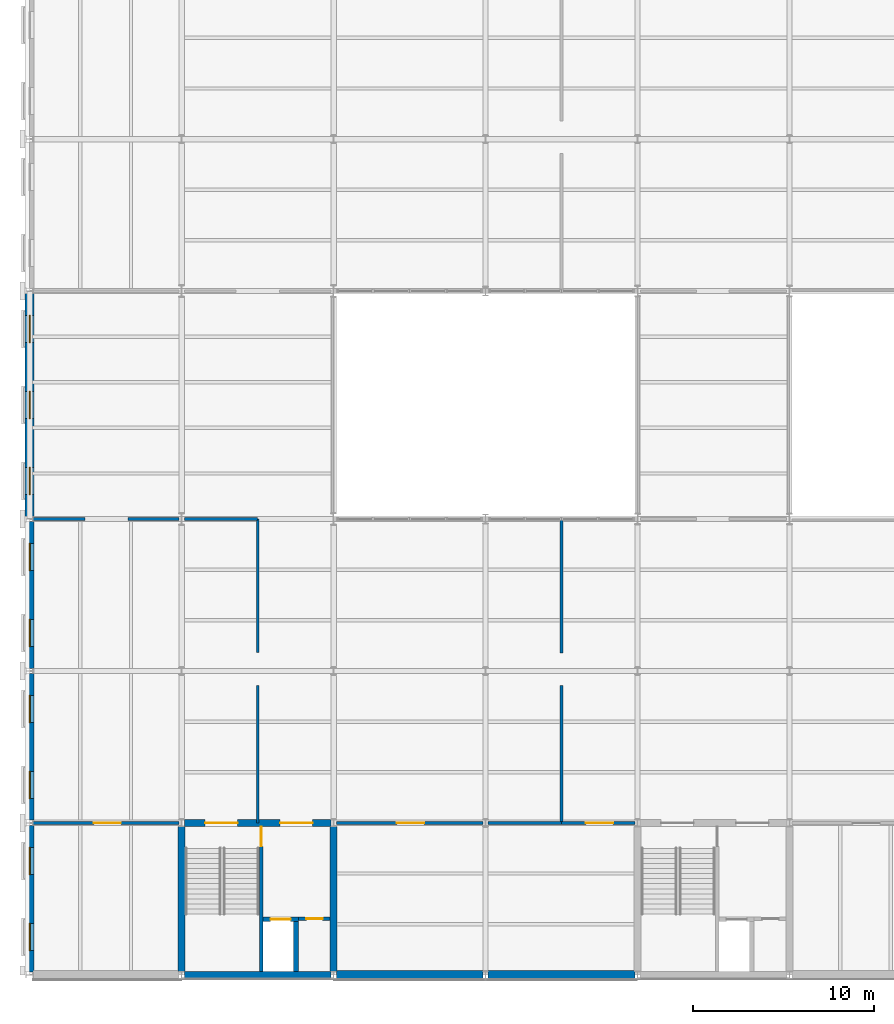
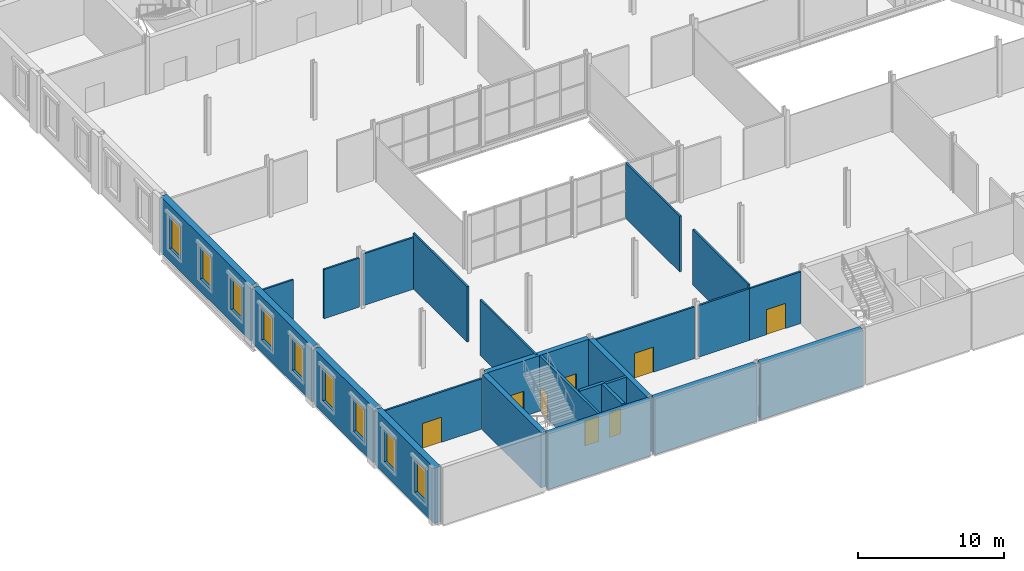
# One storey, part 28 of 52: 25 walls, 9 windows, 8 doors, 17 openings.
"""IFC4 building model written with IfcOpenShell, lengths in metres."""

from ifc_helpers import new_model, si_unit, direction, frame, frame_2d, origin, place, context, subcontext, project, spatial, rectangle, extrude, material, layer, layer_set, type_object, element, fill, save


model = new_model("IFC4")

# Units and contexts
model_context = context("Model", 3, precision=1e-05, world=origin(), true_north=direction((0.0, 1.0)))
body_context = subcontext(model_context, "Body", "Model", "MODEL_VIEW")
ifc_project = project(units=[si_unit("LENGTHUNIT", "METRE"), si_unit("AREAUNIT", "SQUARE_METRE"), si_unit("VOLUMEUNIT", "CUBIC_METRE"), si_unit("PLANEANGLEUNIT", "RADIAN"), si_unit("MASSUNIT", "GRAM", prefix="KILO")], contexts=[model_context])

# Site, building, storey
site_placement = place(None, origin())
site = spatial("IfcSite", under=ifc_project, at=site_placement, CompositionType="ELEMENT")
building_placement = place(site_placement, origin())
building = spatial("IfcBuilding", under=site, at=building_placement, Name="Galleria Vessillo Department Store", CompositionType="ELEMENT")
storey_placement = place(building_placement, frame((0.0, 0.0, 16.199951171875)))
storey = spatial("IfcBuildingStorey", under=building, at=storey_placement, Name="L03", CompositionType="ELEMENT", Elevation=16.199951171875)

# Wall, opening, door
ifc_material_1 = material(Name="Solid clay block masonry", Category="masonry")
ifc_layer_1 = layer(ifc_material_1, 0.25)
ifc_layer_set_1 = layer_set([ifc_layer_1], Name="Solid clay block masonry")
wall_type_1 = type_object("IfcWallType", Name="Lift shaft wall 250 mm", PredefinedType="SOLIDWALL", material=ifc_layer_set_1)
wall_1_placement = place(storey_placement, frame((12.89990234375, 3.074951171875, 0.0), z_axis=(0.0, 0.0, 1.0), x_axis=(1.0, 0.0, 0.0)))
wall_1 = element("IfcWall", 1, at=wall_1_placement, inside=storey, type_object=wall_type_1, Name="Lift shaft wall LP1 landing side L03", PredefinedType="SOLIDWALL", context=body_context, shape_type="SweptSolid", body=[
    extrude(rectangle(XDim=1.9501953125, YDim=0.25, at=frame_2d((0.97509765625, 0.0))), origin(), (0.0, 0.0, 1.0), 4.800048828125),
])
opening_1_placement = place(wall_1_placement, frame((0.425048828125, 0.0, 0.0)))
opening_1 = element("IfcOpeningElement", 2, at=opening_1_placement, cuts=wall_1, Name="Opening LD006", PredefinedType="OPENING", context=body_context, shape_type="SweptSolid", body=[
    extrude(rectangle(XDim=1.10009765625, YDim=2.10009765625, at=frame_2d((0.550048828125, 1.050048828125))), frame((0.0, 0.135009765625, 0.0), z_axis=(0.0, -1.0, 0.0), x_axis=(1.0, 0.0, 0.0)), (0.0, 0.0, 1.0), 0.27001953125),
])
ifc_material_2 = material(Name="Stainless steel lift door panel", Category="steel")
door_type_1 = type_object("IfcDoorType", Name="Lift landing door LD110 sliding 1100 x 2100", OperationType="SLIDING_TO_LEFT", PredefinedType="DOOR", material=ifc_material_2)
door_1_placement = place(opening_1_placement, origin())
door_1 = element("IfcDoor", 3, at=door_1_placement, inside=storey, type_object=door_type_1, Name="Lift landing door LP1 L03", OperationType="SLIDING_TO_LEFT", OverallHeight=2.10009765625, OverallWidth=1.10009765625, PredefinedType="DOOR", context=body_context, shape_type="SweptSolid", body=[
    extrude(rectangle(XDim=1.10009765625, YDim=2.10009765625, at=frame_2d((0.550048828125, 1.050048828125))), frame((0.0, 0.02490234375, 0.0), z_axis=(0.0, -1.0, 0.0), x_axis=(1.0, 0.0, 0.0)), (0.0, 0.0, 1.0), 0.050048828125),
])
fill(opening_1, door_1)

# Wall
wall_2_placement = place(storey_placement, frame((14.72509765625, 0.199951171875, 0.0), z_axis=(0.0, 0.0, 1.0), x_axis=(0.0, 1.0, 0.0)))
element("IfcWall", 4, at=wall_2_placement, inside=storey, type_object=wall_type_1, Name="Lift shaft wall LP1 L03", PredefinedType="SOLIDWALL", context=body_context, shape_type="SweptSolid", body=[
    extrude(rectangle(XDim=2.75, YDim=0.25, at=frame_2d((1.375, 0.0))), origin(), (0.0, 0.0, 1.0), 4.800048828125),
])

# Wall, openings, windows
ifc_material_3 = material(Name="Reinforced masonry, limestone units 80 MPa", Category="masonry")
ifc_layer_2 = layer(ifc_material_3, 0.5)
ifc_layer_set_2 = layer_set([ifc_layer_2], Name="Reinforced masonry, limestone units 80 MPa")
wall_type_2 = type_object("IfcWallType", Name="Load-bearing limestone-faced wall 500 mm", PredefinedType="STANDARD", material=ifc_layer_set_2)
wall_3_placement = place(storey_placement, frame((0.0, 0.14990234375, 0.0), z_axis=(0.0, 0.0, 1.0), x_axis=(0.0, 1.0, 0.0)))
wall_3 = element("IfcWall", 5, at=wall_3_placement, inside=storey, type_object=wall_type_2, Name="Load-bearing limestone-faced wall 500 mm SW-L03-01", PredefinedType="STANDARD", context=body_context, shape_type="SweptSolid", body=[
    extrude(rectangle(XDim=8.10009765625, YDim=0.5, at=frame_2d((4.050048828125, 0.0))), origin(), (0.0, 0.0, 1.0), 4.650146484375),
])
opening_2_placement = place(wall_3_placement, frame((1.2001953125, 0.0, 1.0)))
opening_2 = element("IfcOpeningElement", 6, at=opening_2_placement, cuts=wall_3, Name="Opening W013", PredefinedType="OPENING", context=body_context, shape_type="SweptSolid", body=[
    extrude(rectangle(XDim=1.5, YDim=2.699951171875, at=frame_2d((0.75, 1.35009765625))), frame((0.0, 0.260009765625, 0.0), z_axis=(0.0, -1.0, 0.0), x_axis=(1.0, 0.0, 0.0)), (0.0, 0.0, 1.0), 0.52001953125),
])
opening_3_placement = place(wall_3_placement, frame((5.400146484375, 0.0, 1.0)))
opening_3 = element("IfcOpeningElement", 7, at=opening_3_placement, cuts=wall_3, Name="Opening W014", PredefinedType="OPENING", context=body_context, shape_type="SweptSolid", body=[
    extrude(rectangle(XDim=1.5, YDim=2.699951171875, at=frame_2d((0.75, 1.35009765625))), frame((0.0, 0.260009765625, 0.0), z_axis=(0.0, -1.0, 0.0), x_axis=(1.0, 0.0, 0.0)), (0.0, 0.0, 1.0), 0.52001953125),
])
ifc_material_4 = material(Name="Aluminium frame with laminated glass 44.2", Category="aluminium")
window_type = type_object("IfcWindowType", Name="Second order window 1500 x 2700", PartitioningType="SINGLE_PANEL", PredefinedType="WINDOW", material=ifc_material_4)
window_1_placement = place(opening_2_placement, origin())
window_1 = element("IfcWindow", 8, at=window_1_placement, inside=storey, type_object=window_type, Name="E-WIN-SW-L03-01-013", OverallHeight=2.699951171875, OverallWidth=1.5, PartitioningType="SINGLE_PANEL", PredefinedType="WINDOW", context=body_context, shape_type="SweptSolid", body=[
    extrude(rectangle(XDim=1.5, YDim=2.699951171875, at=frame_2d((0.75, 1.35009765625))), frame((0.0, 0.030029296875, 0.0), z_axis=(0.0, -1.0, 0.0), x_axis=(1.0, 0.0, 0.0)), (0.0, 0.0, 1.0), 0.06005859375),
])
fill(opening_2, window_1)
window_2_placement = place(opening_3_placement, origin())
window_2 = element("IfcWindow", 9, at=window_2_placement, inside=storey, type_object=window_type, Name="E-WIN-SW-L03-01-014", OverallHeight=2.699951171875, OverallWidth=1.5, PartitioningType="SINGLE_PANEL", PredefinedType="WINDOW", context=body_context, shape_type="SweptSolid", body=[
    extrude(rectangle(XDim=1.5, YDim=2.699951171875, at=frame_2d((0.75, 1.35009765625))), frame((0.0, 0.030029296875, 0.0), z_axis=(0.0, -1.0, 0.0), x_axis=(1.0, 0.0, 0.0)), (0.0, 0.0, 1.0), 0.06005859375),
])
fill(opening_3, window_2)

wall_4_placement = place(storey_placement, frame((0.0, 8.5498046875, 0.0), z_axis=(0.0, 0.0, 1.0), x_axis=(0.0, 1.0, 0.0)))
wall_4 = element("IfcWall", 10, at=wall_4_placement, inside=storey, type_object=wall_type_2, Name="Load-bearing limestone-faced wall 500 mm SW-L03-02", PredefinedType="STANDARD", context=body_context, shape_type="SweptSolid", body=[
    extrude(rectangle(XDim=8.100341796875, YDim=0.5, at=frame_2d((4.05029296875, 0.0))), origin(), (0.0, 0.0, 1.0), 4.650146484375),
])
opening_4_placement = place(wall_4_placement, frame((1.2001953125, 0.0, 1.0)))
opening_4 = element("IfcOpeningElement", 11, at=opening_4_placement, cuts=wall_4, Name="Opening W015", PredefinedType="OPENING", context=body_context, shape_type="SweptSolid", body=[
    extrude(rectangle(XDim=1.5, YDim=2.699951171875, at=frame_2d((0.75, 1.35009765625))), frame((0.0, 0.260009765625, 0.0), z_axis=(0.0, -1.0, 0.0), x_axis=(1.0, 0.0, 0.0)), (0.0, 0.0, 1.0), 0.52001953125),
])
opening_5_placement = place(wall_4_placement, frame((5.400146484375, 0.0, 1.0)))
opening_5 = element("IfcOpeningElement", 12, at=opening_5_placement, cuts=wall_4, Name="Opening W016", PredefinedType="OPENING", context=body_context, shape_type="SweptSolid", body=[
    extrude(rectangle(XDim=1.5, YDim=2.699951171875, at=frame_2d((0.75, 1.35009765625))), frame((0.0, 0.260009765625, 0.0), z_axis=(0.0, -1.0, 0.0), x_axis=(1.0, 0.0, 0.0)), (0.0, 0.0, 1.0), 0.52001953125),
])
window_3_placement = place(opening_4_placement, origin())
window_3 = element("IfcWindow", 13, at=window_3_placement, inside=storey, type_object=window_type, Name="E-WIN-SW-L03-02-015", OverallHeight=2.699951171875, OverallWidth=1.5, PartitioningType="SINGLE_PANEL", PredefinedType="WINDOW", context=body_context, shape_type="SweptSolid", body=[
    extrude(rectangle(XDim=1.5, YDim=2.699951171875, at=frame_2d((0.75, 1.35009765625))), frame((0.0, 0.030029296875, 0.0), z_axis=(0.0, -1.0, 0.0), x_axis=(1.0, 0.0, 0.0)), (0.0, 0.0, 1.0), 0.06005859375),
])
fill(opening_4, window_3)
window_4_placement = place(opening_5_placement, origin())
window_4 = element("IfcWindow", 14, at=window_4_placement, inside=storey, type_object=window_type, Name="E-WIN-SW-L03-02-016", OverallHeight=2.699951171875, OverallWidth=1.5, PartitioningType="SINGLE_PANEL", PredefinedType="WINDOW", context=body_context, shape_type="SweptSolid", body=[
    extrude(rectangle(XDim=1.5, YDim=2.699951171875, at=frame_2d((0.75, 1.35009765625))), frame((0.0, 0.030029296875, 0.0), z_axis=(0.0, -1.0, 0.0), x_axis=(1.0, 0.0, 0.0)), (0.0, 0.0, 1.0), 0.06005859375),
])
fill(opening_5, window_4)

wall_5_placement = place(storey_placement, frame((0.0, 16.949951171875, 0.0), z_axis=(0.0, 0.0, 1.0), x_axis=(0.0, 1.0, 0.0)))
wall_5 = element("IfcWall", 15, at=wall_5_placement, inside=storey, type_object=wall_type_2, Name="Load-bearing limestone-faced wall 500 mm SW-L03-03", PredefinedType="STANDARD", context=body_context, shape_type="SweptSolid", body=[
    extrude(rectangle(XDim=8.10009765625, YDim=0.5, at=frame_2d((4.050048828125, 0.0))), origin(), (0.0, 0.0, 1.0), 4.650146484375),
])
opening_6_placement = place(wall_5_placement, frame((1.199951171875, 0.0, 1.0)))
opening_6 = element("IfcOpeningElement", 16, at=opening_6_placement, cuts=wall_5, Name="Opening W017", PredefinedType="OPENING", context=body_context, shape_type="SweptSolid", body=[
    extrude(rectangle(XDim=1.5, YDim=2.699951171875, at=frame_2d((0.75, 1.35009765625))), frame((0.0, 0.260009765625, 0.0), z_axis=(0.0, -1.0, 0.0), x_axis=(1.0, 0.0, 0.0)), (0.0, 0.0, 1.0), 0.52001953125),
])
opening_7_placement = place(wall_5_placement, frame((5.400146484375, 0.0, 1.0)))
opening_7 = element("IfcOpeningElement", 17, at=opening_7_placement, cuts=wall_5, Name="Opening W018", PredefinedType="OPENING", context=body_context, shape_type="SweptSolid", body=[
    extrude(rectangle(XDim=1.5, YDim=2.699951171875, at=frame_2d((0.75, 1.35009765625))), frame((0.0, 0.260009765625, 0.0), z_axis=(0.0, -1.0, 0.0), x_axis=(1.0, 0.0, 0.0)), (0.0, 0.0, 1.0), 0.52001953125),
])
window_5_placement = place(opening_6_placement, origin())
window_5 = element("IfcWindow", 18, at=window_5_placement, inside=storey, type_object=window_type, Name="E-WIN-SW-L03-03-017", OverallHeight=2.699951171875, OverallWidth=1.5, PartitioningType="SINGLE_PANEL", PredefinedType="WINDOW", context=body_context, shape_type="SweptSolid", body=[
    extrude(rectangle(XDim=1.5, YDim=2.699951171875, at=frame_2d((0.75, 1.35009765625))), frame((0.0, 0.030029296875, 0.0), z_axis=(0.0, -1.0, 0.0), x_axis=(1.0, 0.0, 0.0)), (0.0, 0.0, 1.0), 0.06005859375),
])
fill(opening_6, window_5)
window_6_placement = place(opening_7_placement, origin())
window_6 = element("IfcWindow", 19, at=window_6_placement, inside=storey, type_object=window_type, Name="E-WIN-SW-L03-03-018", OverallHeight=2.699951171875, OverallWidth=1.5, PartitioningType="SINGLE_PANEL", PredefinedType="WINDOW", context=body_context, shape_type="SweptSolid", body=[
    extrude(rectangle(XDim=1.5, YDim=2.699951171875, at=frame_2d((0.75, 1.35009765625))), frame((0.0, 0.030029296875, 0.0), z_axis=(0.0, -1.0, 0.0), x_axis=(1.0, 0.0, 0.0)), (0.0, 0.0, 1.0), 0.06005859375),
])
fill(opening_7, window_6)

wall_6_placement = place(storey_placement, frame((0.0, 25.349853515625, 0.0), z_axis=(0.0, 0.0, 1.0), x_axis=(0.0, 1.0, 0.0)))
wall_6 = element("IfcWall", 20, at=wall_6_placement, inside=storey, type_object=wall_type_2, Name="Load-bearing limestone-faced wall 500 mm SW-L03-04", PredefinedType="STANDARD", context=body_context, shape_type="SweptSolid", body=[
    extrude(rectangle(XDim=12.30029296875, YDim=0.5, at=frame_2d((6.150146484375, 0.0))), origin(), (0.0, 0.0, 1.0), 4.650146484375),
])
opening_8_placement = place(wall_6_placement, frame((1.2001953125, 0.0, 1.0)))
opening_8 = element("IfcOpeningElement", 21, at=opening_8_placement, cuts=wall_6, Name="Opening W019", PredefinedType="OPENING", context=body_context, shape_type="SweptSolid", body=[
    extrude(rectangle(XDim=1.5, YDim=2.699951171875, at=frame_2d((0.75, 1.35009765625))), frame((0.0, 0.260009765625, 0.0), z_axis=(0.0, -1.0, 0.0), x_axis=(1.0, 0.0, 0.0)), (0.0, 0.0, 1.0), 0.52001953125),
])
opening_9_placement = place(wall_6_placement, frame((5.400146484375, 0.0, 1.0)))
opening_9 = element("IfcOpeningElement", 22, at=opening_9_placement, cuts=wall_6, Name="Opening W020", PredefinedType="OPENING", context=body_context, shape_type="SweptSolid", body=[
    extrude(rectangle(XDim=1.5, YDim=2.699951171875, at=frame_2d((0.75, 1.35009765625))), frame((0.0, 0.260009765625, 0.0), z_axis=(0.0, -1.0, 0.0), x_axis=(1.0, 0.0, 0.0)), (0.0, 0.0, 1.0), 0.52001953125),
])
opening_10_placement = place(wall_6_placement, frame((9.60009765625, 0.0, 1.0)))
opening_10 = element("IfcOpeningElement", 23, at=opening_10_placement, cuts=wall_6, Name="Opening W021", PredefinedType="OPENING", context=body_context, shape_type="SweptSolid", body=[
    extrude(rectangle(XDim=1.5, YDim=2.699951171875, at=frame_2d((0.75, 1.35009765625))), frame((0.0, 0.260009765625, 0.0), z_axis=(0.0, -1.0, 0.0), x_axis=(1.0, 0.0, 0.0)), (0.0, 0.0, 1.0), 0.52001953125),
])
window_7_placement = place(opening_8_placement, origin())
window_7 = element("IfcWindow", 24, at=window_7_placement, inside=storey, type_object=window_type, Name="E-WIN-SW-L03-04-019", OverallHeight=2.699951171875, OverallWidth=1.5, PartitioningType="SINGLE_PANEL", PredefinedType="WINDOW", context=body_context, shape_type="SweptSolid", body=[
    extrude(rectangle(XDim=1.5, YDim=2.699951171875, at=frame_2d((0.75, 1.35009765625))), frame((0.0, 0.030029296875, 0.0), z_axis=(0.0, -1.0, 0.0), x_axis=(1.0, 0.0, 0.0)), (0.0, 0.0, 1.0), 0.06005859375),
])
fill(opening_8, window_7)
window_8_placement = place(opening_9_placement, origin())
window_8 = element("IfcWindow", 25, at=window_8_placement, inside=storey, type_object=window_type, Name="E-WIN-SW-L03-04-020", OverallHeight=2.699951171875, OverallWidth=1.5, PartitioningType="SINGLE_PANEL", PredefinedType="WINDOW", context=body_context, shape_type="SweptSolid", body=[
    extrude(rectangle(XDim=1.5, YDim=2.699951171875, at=frame_2d((0.75, 1.35009765625))), frame((0.0, 0.030029296875, 0.0), z_axis=(0.0, -1.0, 0.0), x_axis=(1.0, 0.0, 0.0)), (0.0, 0.0, 1.0), 0.06005859375),
])
fill(opening_9, window_8)
window_9_placement = place(opening_10_placement, origin())
window_9 = element("IfcWindow", 26, at=window_9_placement, inside=storey, type_object=window_type, Name="E-WIN-SW-L03-04-021", OverallHeight=2.699951171875, OverallWidth=1.5, PartitioningType="SINGLE_PANEL", PredefinedType="WINDOW", context=body_context, shape_type="SweptSolid", body=[
    extrude(rectangle(XDim=1.5, YDim=2.699951171875, at=frame_2d((0.75, 1.35009765625))), frame((0.0, 0.030029296875, 0.0), z_axis=(0.0, -1.0, 0.0), x_axis=(1.0, 0.0, 0.0)), (0.0, 0.0, 1.0), 0.06005859375),
])
fill(opening_10, window_9)

# Wall, openings, doors
ifc_material_5 = material(Name="Concrete C32/40 reinforced", Category="concrete")
ifc_layer_3 = layer(ifc_material_5, 0.39990234375)
ifc_layer_set_3 = layer_set([ifc_layer_3], Name="Concrete C32/40 reinforced")
wall_type_3 = type_object("IfcWallType", Name="Reinforced concrete core wall 400 mm", PredefinedType="SHEAR", material=ifc_layer_set_3)
wall_7_placement = place(storey_placement, frame((8.5498046875, 8.39990234375, 0.0), z_axis=(0.0, 0.0, 1.0), x_axis=(1.0, 0.0, 0.0)))
wall_7 = element("IfcWall", 27, at=wall_7_placement, inside=storey, type_object=wall_type_3, Name="S-CW-PC-SW-INTERIOR-L03", PredefinedType="SHEAR", context=body_context, shape_type="SweptSolid", body=[
    extrude(rectangle(XDim=8.100341796875, YDim=0.39990234375, at=frame_2d((4.05029296875, 0.0))), origin(), (0.0, 0.0, 1.0), 4.650146484375),
])
opening_11_placement = place(wall_7_placement, frame((1.150146484375, 0.0, 0.0)))
opening_11 = element("IfcOpeningElement", 28, at=opening_11_placement, cuts=wall_7, Name="Opening D5023", PredefinedType="OPENING", context=body_context, shape_type="SweptSolid", body=[
    extrude(rectangle(XDim=1.800048828125, YDim=2.10009765625, at=frame_2d((0.89990234375, 1.050048828125))), frame((0.0, 0.2099609375, 0.0), z_axis=(0.0, -1.0, 0.0), x_axis=(1.0, 0.0, 0.0)), (0.0, 0.0, 1.0), 0.419921875),
])
opening_12_placement = place(wall_7_placement, frame((5.300048828125, 0.0, 0.0)))
opening_12 = element("IfcOpeningElement", 29, at=opening_12_placement, cuts=wall_7, Name="Opening D5024", PredefinedType="OPENING", context=body_context, shape_type="SweptSolid", body=[
    extrude(rectangle(XDim=1.800048828125, YDim=2.10009765625, at=frame_2d((0.89990234375, 1.050048828125))), frame((0.0, 0.2099609375, 0.0), z_axis=(0.0, -1.0, 0.0), x_axis=(1.0, 0.0, 0.0)), (0.0, 0.0, 1.0), 0.419921875),
])
ifc_material_6 = material(Name="Fire-rated steel door leaf", Category="steel")
door_type_2 = type_object("IfcDoorType", Name="Door D180F double leaf 1800 x 2100", OperationType="DOUBLE_DOOR_SINGLE_SWING", PredefinedType="DOOR", material=ifc_material_6)
door_2_placement = place(opening_11_placement, frame((1.800048828125, 0.0, 0.0), z_axis=(0.0, 0.0, 1.0), x_axis=(-1.0, 0.0, 0.0)))
door_2 = element("IfcDoor", 30, at=door_2_placement, inside=storey, type_object=door_type_2, Name="Lobby door PC-SW-ST-FLOOR L03", OperationType="DOUBLE_DOOR_SINGLE_SWING", OverallHeight=2.10009765625, OverallWidth=1.800048828125, PredefinedType="DOOR", context=body_context, shape_type="SweptSolid", body=[
    extrude(rectangle(XDim=1.800048828125, YDim=2.10009765625, at=frame_2d((0.89990234375, 1.050048828125))), frame((0.0, 0.02490234375, 0.0), z_axis=(0.0, -1.0, 0.0), x_axis=(1.0, 0.0, 0.0)), (0.0, 0.0, 1.0), 0.050048828125),
])
fill(opening_11, door_2)
door_3_placement = place(opening_12_placement, frame((1.800048828125, 0.0, 0.0), z_axis=(0.0, 0.0, 1.0), x_axis=(-1.0, 0.0, 0.0)))
door_3 = element("IfcDoor", 31, at=door_3_placement, inside=storey, type_object=door_type_2, Name="Lobby door PC-SW-LOBBY-FLOOR L03", OperationType="DOUBLE_DOOR_SINGLE_SWING", OverallHeight=2.10009765625, OverallWidth=1.800048828125, PredefinedType="DOOR", context=body_context, shape_type="SweptSolid", body=[
    extrude(rectangle(XDim=1.800048828125, YDim=2.10009765625, at=frame_2d((0.89990234375, 1.050048828125))), frame((0.0, 0.02490234375, 0.0), z_axis=(0.0, -1.0, 0.0), x_axis=(1.0, 0.0, 0.0)), (0.0, 0.0, 1.0), 0.050048828125),
])
fill(opening_12, door_3)

# Walls
wall_8_placement = place(storey_placement, frame((16.800048828125, 0.199951171875, 0.0), z_axis=(0.0, 0.0, 1.0), x_axis=(0.0, 1.0, 0.0)))
element("IfcWall", 32, at=wall_8_placement, inside=storey, type_object=wall_type_3, Name="S-CW-PC-SW-EAST-L03", PredefinedType="SHEAR", context=body_context, shape_type="SweptSolid", body=[
    extrude(rectangle(XDim=8.0, YDim=0.39990234375, at=frame_2d((4.0, 0.0))), origin(), (0.0, 0.0, 1.0), 4.650146484375),
])
ifc_material_7 = material(Name="Concrete C32/40 reinforced", Category="concrete")
ifc_layer_4 = layer(ifc_material_7, 0.39990234375)
ifc_layer_set_4 = layer_set([ifc_layer_4], Name="Concrete C32/40 reinforced")
wall_type_4 = type_object("IfcWallType", Name="Reinforced concrete core wall 400 mm, external", PredefinedType="SHEAR", material=ifc_layer_set_4)
wall_9_placement = place(storey_placement, frame((8.5498046875, 0.0, 0.0), z_axis=(0.0, 0.0, 1.0), x_axis=(1.0, 0.0, 0.0)))
element("IfcWall", 33, at=wall_9_placement, inside=storey, type_object=wall_type_4, Name="S-CW-PC-SW-PARTY-L03", PredefinedType="SHEAR", context=body_context, shape_type="SweptSolid", body=[
    extrude(rectangle(XDim=8.100341796875, YDim=0.39990234375, at=frame_2d((4.05029296875, 0.0))), origin(), (0.0, 0.0, 1.0), 4.650146484375),
])
wall_10_placement = place(storey_placement, frame((8.39990234375, 0.199951171875, 0.0), z_axis=(0.0, 0.0, 1.0), x_axis=(0.0, 1.0, 0.0)))
element("IfcWall", 34, at=wall_10_placement, inside=storey, type_object=wall_type_4, Name="S-CW-PC-SW-WEST-L03", PredefinedType="SHEAR", context=body_context, shape_type="SweptSolid", body=[
    extrude(rectangle(XDim=8.0, YDim=0.39990234375, at=frame_2d((4.0, 0.0))), origin(), (0.0, 0.0, 1.0), 4.650146484375),
])
ifc_material_8 = material(Name="Concrete C32/40 reinforced", Category="concrete")
ifc_layer_5 = layer(ifc_material_8, 0.5)
ifc_layer_set_5 = layer_set([ifc_layer_5], Name="Concrete C32/40 reinforced")
wall_type_5 = type_object("IfcWallType", Name="Reinforced concrete party wall 500 mm", PredefinedType="SHEAR", material=ifc_layer_set_5)
wall_11_placement = place(storey_placement, frame((16.949951171875, 0.0, 0.0), z_axis=(0.0, 0.0, 1.0), x_axis=(1.0, 0.0, 0.0)))
element("IfcWall", 35, at=wall_11_placement, inside=storey, type_object=wall_type_5, Name="S-PS-L03-02", PredefinedType="SHEAR", context=body_context, shape_type="SweptSolid", body=[
    extrude(rectangle(XDim=8.10009765625, YDim=0.5, at=frame_2d((4.050048828125, 0.0))), origin(), (0.0, 0.0, 1.0), 4.650146484375),
])
wall_12_placement = place(storey_placement, frame((25.349853515625, 0.0, 0.0), z_axis=(0.0, 0.0, 1.0), x_axis=(1.0, 0.0, 0.0)))
element("IfcWall", 36, at=wall_12_placement, inside=storey, type_object=wall_type_5, Name="S-PS-L03-03", PredefinedType="SHEAR", context=body_context, shape_type="SweptSolid", body=[
    extrude(rectangle(XDim=8.100341796875, YDim=0.5, at=frame_2d((4.05029296875, 0.0))), origin(), (0.0, 0.0, 1.0), 4.650146484375),
])

# Wall, opening, door
ifc_material_9 = material(Name="Concrete C32/40 reinforced", Category="concrete")
ifc_layer_6 = layer(ifc_material_9, 0.199951171875)
ifc_layer_set_6 = layer_set([ifc_layer_6], Name="Concrete C32/40 reinforced")
wall_type_6 = type_object("IfcWallType", Name="Reinforced concrete stair enclosure wall 200 mm", PredefinedType="SHEAR", material=ifc_layer_set_6)
wall_13_placement = place(storey_placement, frame((12.7998046875, 0.199951171875, 0.0), z_axis=(0.0, 0.0, 1.0), x_axis=(0.0, 1.0, 0.0)))
wall_13 = element("IfcWall", 37, at=wall_13_placement, inside=storey, type_object=wall_type_6, Name="Stair enclosure wall PC-SW L03", PredefinedType="SHEAR", context=body_context, shape_type="SweptSolid", body=[
    extrude(rectangle(XDim=8.0, YDim=0.199951171875, at=frame_2d((4.0, 0.0))), origin(), (0.0, 0.0, 1.0), 4.650146484375),
])
opening_13_placement = place(wall_13_placement, frame((6.89990234375, 0.0, 0.0)))
opening_13 = element("IfcOpeningElement", 38, at=opening_13_placement, cuts=wall_13, Name="Opening D5021", PredefinedType="OPENING", context=body_context, shape_type="SweptSolid", body=[
    extrude(rectangle(XDim=1.11009765625, YDim=2.10009765625, at=frame_2d((0.554931640625, 1.050048828125))), frame((0.0, 0.10986328125, 0.0), z_axis=(0.0, -1.0, 0.0), x_axis=(1.0, 0.0, 0.0)), (0.0, 0.0, 1.0), 0.219970703125),
])
ifc_material_10 = material(Name="Fire-rated steel door leaf", Category="steel")
door_type_3 = type_object("IfcDoorType", Name="Door D110F stair door 1100 x 2100", OperationType="SINGLE_SWING_LEFT", PredefinedType="DOOR", material=ifc_material_10)
door_4_placement = place(opening_13_placement, origin())
door_4 = element("IfcDoor", 39, at=door_4_placement, inside=storey, type_object=door_type_3, Name="Stair door PC-SW-ST-LOBBY L03", OperationType="SINGLE_SWING_RIGHT", OverallHeight=2.10009765625, OverallWidth=1.10009765625, PredefinedType="DOOR", context=body_context, shape_type="SweptSolid", body=[
    extrude(rectangle(XDim=1.10009765625, YDim=2.10009765625, at=frame_2d((0.550048828125, 1.050048828125))), frame((0.0, 0.02490234375, 0.0), z_axis=(0.0, -1.0, 0.0), x_axis=(1.0, 0.0, 0.0)), (0.0, 0.0, 1.0), 0.050048828125),
])
fill(opening_13, door_4)

ifc_material_11 = material(Name="Hollow clay block masonry", Category="masonry")
ifc_layer_7 = layer(ifc_material_11, 0.199951171875)
ifc_layer_set_7 = layer_set([ifc_layer_7], Name="Hollow clay block masonry")
wall_type_7 = type_object("IfcWallType", Name="Riser and service room wall 200 mm", PredefinedType="PARTITIONING", material=ifc_layer_set_7)
wall_14_placement = place(storey_placement, frame((14.85009765625, 3.099853515625, 0.0), z_axis=(0.0, 0.0, 1.0), x_axis=(1.0, 0.0, 0.0)))
wall_14 = element("IfcWall", 40, at=wall_14_placement, inside=storey, type_object=wall_type_7, Name="Riser wall PC-SW-RISER L03", PredefinedType="PARTITIONING", context=body_context, shape_type="SweptSolid", body=[
    extrude(rectangle(XDim=1.75, YDim=0.199951171875, at=frame_2d((0.875, 0.0))), origin(), (0.0, 0.0, 1.0), 4.650146484375),
])
opening_14_placement = place(wall_14_placement, frame((0.449951171875, 0.0, 0.0)))
opening_14 = element("IfcOpeningElement", 41, at=opening_14_placement, cuts=wall_14, Name="Opening D5022", PredefinedType="OPENING", context=body_context, shape_type="SweptSolid", body=[
    extrude(rectangle(XDim=0.89990234375, YDim=2.10009765625, at=frame_2d((0.449951171875, 1.050048828125))), frame((0.0, 0.10986328125, 0.0), z_axis=(0.0, -1.0, 0.0), x_axis=(1.0, 0.0, 0.0)), (0.0, 0.0, 1.0), 0.219970703125),
])
ifc_material_12 = material(Name="Fire-rated steel door leaf", Category="steel")
door_type_4 = type_object("IfcDoorType", Name="Door DR90 riser access 900 x 2100", OperationType="SINGLE_SWING_LEFT", PredefinedType="DOOR", material=ifc_material_12)
door_5_placement = place(opening_14_placement, frame((0.89990234375, 0.0, 0.0), z_axis=(0.0, 0.0, 1.0), x_axis=(-1.0, 0.0, 0.0)))
door_5 = element("IfcDoor", 42, at=door_5_placement, inside=storey, type_object=door_type_4, Name="Riser door PC-SW-RISER-D L03", OperationType="SINGLE_SWING_LEFT", OverallHeight=2.10009765625, OverallWidth=0.89990234375, PredefinedType="DOOR", context=body_context, shape_type="SweptSolid", body=[
    extrude(rectangle(XDim=0.89990234375, YDim=2.10009765625, at=frame_2d((0.449951171875, 1.050048828125))), frame((0.0, 0.02490234375, 0.0), z_axis=(0.0, -1.0, 0.0), x_axis=(1.0, 0.0, 0.0)), (0.0, 0.0, 1.0), 0.050048828125),
])
fill(opening_14, door_5)

# Walls
ifc_material_13 = material(Name="Gypsum board partition")
ifc_layer_8 = layer(ifc_material_13, 0.139892578125)
ifc_layer_set_8 = layer_set([ifc_layer_8], Name="Gypsum board partition")
wall_type_8 = type_object("IfcWallType", Name="Sales dividing wall 140 mm", PredefinedType="PARTITIONING", material=ifc_layer_set_8)
wall_15_placement = place(storey_placement, frame((12.60009765625, 8.409912109375, 0.0), z_axis=(0.0, 0.0, 1.0), x_axis=(0.0, 1.0, 0.0)))
element("IfcWall", 43, at=wall_15_placement, inside=storey, type_object=wall_type_8, Name="Partition wall PT3 on L03 no. 037", PredefinedType="PARTITIONING", context=body_context, shape_type="SweptSolid", body=[
    extrude(rectangle(XDim=7.60009765625, YDim=0.139892578125, at=frame_2d((3.800048828125, 0.0))), origin(), (0.0, 0.0, 1.0), 4.650146484375),
])
wall_16_placement = place(storey_placement, frame((12.60009765625, 17.809814453125, 0.0), z_axis=(0.0, 0.0, 1.0), x_axis=(0.0, 1.0, 0.0)))
element("IfcWall", 44, at=wall_16_placement, inside=storey, type_object=wall_type_8, Name="Partition wall PT3 on L03 no. 038", PredefinedType="PARTITIONING", context=body_context, shape_type="SweptSolid", body=[
    extrude(rectangle(XDim=7.39013671875, YDim=0.139892578125, at=frame_2d((3.695068359375, 0.0))), origin(), (0.0, 0.0, 1.0), 4.650146484375),
])
wall_17_placement = place(storey_placement, frame((0.199951171875, 25.199951171875, 0.0), z_axis=(0.0, 0.0, 1.0), x_axis=(1.0, 0.0, 0.0)))
element("IfcWall", 45, at=wall_17_placement, inside=storey, type_object=wall_type_8, Name="Partition wall PT3 on L03 no. 039", PredefinedType="PARTITIONING", context=body_context, shape_type="SweptSolid", body=[
    extrude(rectangle(XDim=2.85009765625, YDim=0.139892578125, at=frame_2d((1.425048828125, 0.0))), origin(), (0.0, 0.0, 1.0), 4.110107421875),
])
wall_18_placement = place(storey_placement, frame((5.449951171875, 25.199951171875, 0.0), z_axis=(0.0, 0.0, 1.0), x_axis=(1.0, 0.0, 0.0)))
element("IfcWall", 46, at=wall_18_placement, inside=storey, type_object=wall_type_8, Name="Partition wall PT3 on L03 no. 040", PredefinedType="PARTITIONING", context=body_context, shape_type="SweptSolid", body=[
    extrude(rectangle(XDim=2.79736328125, YDim=0.139892578125, at=frame_2d((1.398681640625, 0.0))), origin(), (0.0, 0.0, 1.0), 4.110107421875),
])
wall_19_placement = place(storey_placement, frame((8.552490234375, 25.199951171875, 0.0), z_axis=(0.0, 0.0, 1.0), x_axis=(1.0, 0.0, 0.0)))
element("IfcWall", 47, at=wall_19_placement, inside=storey, type_object=wall_type_8, Name="Partition wall PT3 on L03 no. 041", PredefinedType="PARTITIONING", context=body_context, shape_type="SweptSolid", body=[
    extrude(rectangle(XDim=4.047607421875, YDim=0.139892578125, at=frame_2d((2.02392578125, 0.0))), origin(), (0.0, 0.0, 1.0), 4.320068359375),
])
wall_20_placement = place(storey_placement, frame((29.39990234375, 8.39990234375, 0.0), z_axis=(0.0, 0.0, 1.0), x_axis=(0.0, 1.0, 0.0)))
element("IfcWall", 48, at=wall_20_placement, inside=storey, type_object=wall_type_8, Name="Partition wall PT3 on L03 no. 042", PredefinedType="PARTITIONING", context=body_context, shape_type="SweptSolid", body=[
    extrude(rectangle(XDim=7.60009765625, YDim=0.139892578125, at=frame_2d((3.800048828125, 0.0))), origin(), (0.0, 0.0, 1.0), 4.650146484375),
])
wall_21_placement = place(storey_placement, frame((29.39990234375, 17.800048828125, 0.0), z_axis=(0.0, 0.0, 1.0), x_axis=(0.0, 1.0, 0.0)))
element("IfcWall", 49, at=wall_21_placement, inside=storey, type_object=wall_type_8, Name="Partition wall PT3 on L03 no. 043", PredefinedType="PARTITIONING", context=body_context, shape_type="SweptSolid", body=[
    extrude(rectangle(XDim=7.39990234375, YDim=0.139892578125, at=frame_2d((3.699951171875, 0.0))), origin(), (0.0, 0.0, 1.0), 4.650146484375),
])

# Wall, opening, door
ifc_material_14 = material(Name="Concrete blockwork", Category="masonry")
ifc_layer_9 = layer(ifc_material_14, 0.14990234375)
ifc_layer_set_9 = layer_set([ifc_layer_9], Name="Concrete blockwork")
wall_type_9 = type_object("IfcWallType", Name="Stockroom blockwork wall 150 mm", PredefinedType="SOLIDWALL", material=ifc_layer_set_9)
wall_22_placement = place(storey_placement, frame((16.949951171875, 8.39990234375, 0.0), z_axis=(0.0, 0.0, 1.0), x_axis=(1.0, 0.0, 0.0)))
wall_22 = element("IfcWall", 50, at=wall_22_placement, inside=storey, type_object=wall_type_9, Name="Partition wall PT4 on L03 no. 013", PredefinedType="SOLIDWALL", context=body_context, shape_type="SweptSolid", body=[
    extrude(rectangle(XDim=8.10009765625, YDim=0.14990234375, at=frame_2d((4.050048828125, 0.0))), origin(), (0.0, 0.0, 1.0), 4.320068359375),
])
opening_15_placement = place(wall_22_placement, frame((3.35009765625, 0.0, 0.0)))
opening_15 = element("IfcOpeningElement", 51, at=opening_15_placement, cuts=wall_22, Name="Opening D2507", PredefinedType="OPENING", context=body_context, shape_type="SweptSolid", body=[
    extrude(rectangle(XDim=1.5, YDim=2.10009765625, at=frame_2d((0.75, 1.050048828125))), frame((0.0, 0.0849609375, 0.0), z_axis=(0.0, -1.0, 0.0), x_axis=(1.0, 0.0, 0.0)), (0.0, 0.0, 1.0), 0.169921875),
])
ifc_material_15 = material(Name="Steel fire door leaf", Category="steel")
door_type_5 = type_object("IfcDoorType", Name="Stockroom fire door 1500 double leaf", OperationType="DOUBLE_DOOR_SINGLE_SWING", PredefinedType="DOOR", material=ifc_material_15)
door_6_placement = place(opening_15_placement, frame((1.5, 0.0, 0.0), z_axis=(0.0, 0.0, 1.0), x_axis=(-1.0, 0.0, 0.0)))
door_6 = element("IfcDoor", 52, at=door_6_placement, inside=storey, type_object=door_type_5, Name="Door D2507", OperationType="DOUBLE_DOOR_SINGLE_SWING", OverallHeight=2.10009765625, OverallWidth=1.5, PredefinedType="DOOR", context=body_context, shape_type="SweptSolid", body=[
    extrude(rectangle(XDim=1.5, YDim=2.10009765625, at=frame_2d((0.75, 1.050048828125))), frame((0.0, 0.02490234375, 0.0), z_axis=(0.0, -1.0, 0.0), x_axis=(1.0, 0.0, 0.0)), (0.0, 0.0, 1.0), 0.050048828125),
])
fill(opening_15, door_6)

# Wall
wall_23_placement = place(storey_placement, frame((25.349853515625, 8.39990234375, 0.0), z_axis=(0.0, 0.0, 1.0), x_axis=(1.0, 0.0, 0.0)))
element("IfcWall", 53, at=wall_23_placement, inside=storey, type_object=wall_type_9, Name="Partition wall PT4 on L03 no. 014", PredefinedType="SOLIDWALL", context=body_context, shape_type="SweptSolid", body=[
    extrude(rectangle(XDim=4.050048828125, YDim=0.14990234375, at=frame_2d((2.02490234375, 0.0))), origin(), (0.0, 0.0, 1.0), 4.320068359375),
])

# Wall, opening, door
wall_24_placement = place(storey_placement, frame((29.39990234375, 8.39990234375, 0.0), z_axis=(0.0, 0.0, 1.0), x_axis=(1.0, 0.0, 0.0)))
wall_24 = element("IfcWall", 54, at=wall_24_placement, inside=storey, type_object=wall_type_9, Name="Partition wall PT4 on L03 no. 015", PredefinedType="SOLIDWALL", context=body_context, shape_type="SweptSolid", body=[
    extrude(rectangle(XDim=4.05029296875, YDim=0.14990234375, at=frame_2d((2.025146484375, 0.0))), origin(), (0.0, 0.0, 1.0), 4.320068359375),
])
opening_16_placement = place(wall_24_placement, frame((1.35009765625, 0.0, 0.0)))
opening_16 = element("IfcOpeningElement", 55, at=opening_16_placement, cuts=wall_24, Name="Opening D2508", PredefinedType="OPENING", context=body_context, shape_type="SweptSolid", body=[
    extrude(rectangle(XDim=1.5, YDim=2.10009765625, at=frame_2d((0.75, 1.050048828125))), frame((0.0, 0.0849609375, 0.0), z_axis=(0.0, -1.0, 0.0), x_axis=(1.0, 0.0, 0.0)), (0.0, 0.0, 1.0), 0.169921875),
])
door_7_placement = place(opening_16_placement, frame((1.5, 0.0, 0.0), z_axis=(0.0, 0.0, 1.0), x_axis=(-1.0, 0.0, 0.0)))
door_7 = element("IfcDoor", 56, at=door_7_placement, inside=storey, type_object=door_type_5, Name="Door D2508", OperationType="DOUBLE_DOOR_SINGLE_SWING", OverallHeight=2.10009765625, OverallWidth=1.5, PredefinedType="DOOR", context=body_context, shape_type="SweptSolid", body=[
    extrude(rectangle(XDim=1.5, YDim=2.10009765625, at=frame_2d((0.75, 1.050048828125))), frame((0.0, 0.02490234375, 0.0), z_axis=(0.0, -1.0, 0.0), x_axis=(1.0, 0.0, 0.0)), (0.0, 0.0, 1.0), 0.050048828125),
])
fill(opening_16, door_7)

wall_25_placement = place(storey_placement, frame((0.199951171875, 8.39990234375, 0.0), z_axis=(0.0, 0.0, 1.0), x_axis=(1.0, 0.0, 0.0)))
wall_25 = element("IfcWall", 57, at=wall_25_placement, inside=storey, type_object=wall_type_9, Name="Partition wall PT4 on L03 no. 023", PredefinedType="SOLIDWALL", context=body_context, shape_type="SweptSolid", body=[
    extrude(rectangle(XDim=8.050048828125, YDim=0.14990234375, at=frame_2d((4.02490234375, 0.0))), origin(), (0.0, 0.0, 1.0), 4.210205078125),
])
opening_17_placement = place(wall_25_placement, frame((3.35009765625, 0.0, 0.0)))
opening_17 = element("IfcOpeningElement", 58, at=opening_17_placement, cuts=wall_25, Name="Opening D2515", PredefinedType="OPENING", context=body_context, shape_type="SweptSolid", body=[
    extrude(rectangle(XDim=1.5, YDim=2.10009765625, at=frame_2d((0.75, 1.050048828125))), frame((0.0, 0.0849609375, 0.0), z_axis=(0.0, -1.0, 0.0), x_axis=(1.0, 0.0, 0.0)), (0.0, 0.0, 1.0), 0.169921875),
])
door_8_placement = place(opening_17_placement, frame((1.5, 0.0, 0.0), z_axis=(0.0, 0.0, 1.0), x_axis=(-1.0, 0.0, 0.0)))
door_8 = element("IfcDoor", 59, at=door_8_placement, inside=storey, type_object=door_type_5, Name="Door D2515", OperationType="DOUBLE_DOOR_SINGLE_SWING", OverallHeight=2.10009765625, OverallWidth=1.5, PredefinedType="DOOR", context=body_context, shape_type="SweptSolid", body=[
    extrude(rectangle(XDim=1.5, YDim=2.10009765625, at=frame_2d((0.75, 1.050048828125))), frame((0.0, 0.02490234375, 0.0), z_axis=(0.0, -1.0, 0.0), x_axis=(1.0, 0.0, 0.0)), (0.0, 0.0, 1.0), 0.050048828125),
])
fill(opening_17, door_8)

save(model, "model.ifc")
